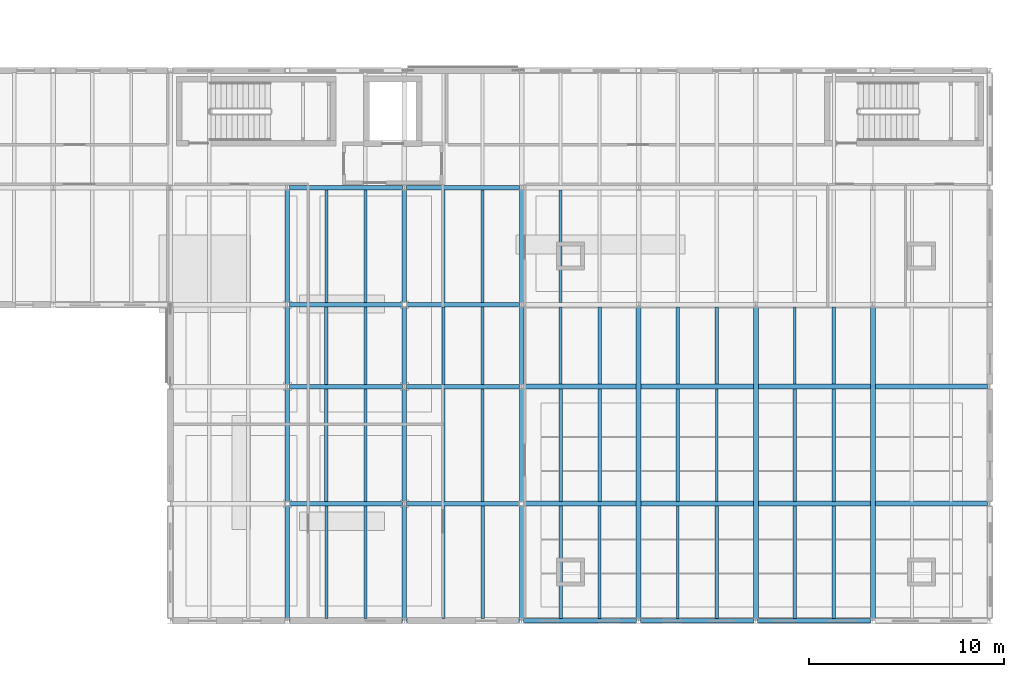
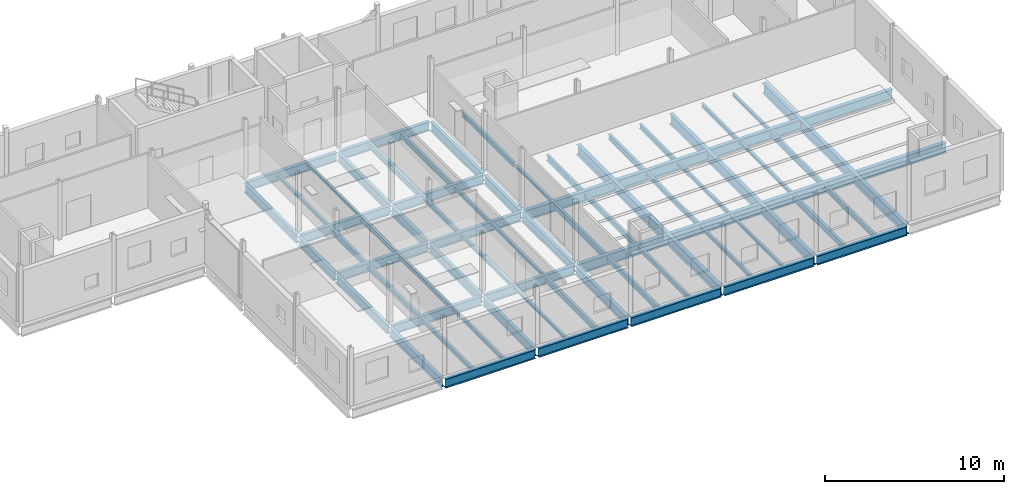
# One storey, part 35 of 92: 65 beams.
"""IFC4 building model written with IfcOpenShell, lengths in metres."""

from ifc_helpers import new_model, si_unit, direction, frame, origin, origin_2d, place, context, subcontext, project, spatial, i_section, extrude, material, material_profile, profile_set, type_object, element, save


model = new_model("IFC4")

# Units and contexts
model_context = context("Model", 3, precision=1e-05, world=origin(), true_north=direction((0.0, 1.0)))
body_context = subcontext(model_context, "Body", "Model", "MODEL_VIEW")
ifc_project = project(units=[si_unit("LENGTHUNIT", "METRE"), si_unit("AREAUNIT", "SQUARE_METRE"), si_unit("VOLUMEUNIT", "CUBIC_METRE"), si_unit("PLANEANGLEUNIT", "RADIAN"), si_unit("MASSUNIT", "GRAM", prefix="KILO")], contexts=[model_context])

# Site, building, storey
site_placement = place(None, origin())
site = spatial("IfcSite", under=ifc_project, at=site_placement, CompositionType="ELEMENT")
building_placement = place(site_placement, origin())
building = spatial("IfcBuilding", under=site, at=building_placement, Name="Siltcreek Boulevard Central Fire Station", CompositionType="ELEMENT")
storey_placement = place(building_placement, frame((0.0, 0.0, 6.0)))
storey = spatial("IfcBuildingStorey", under=building, at=storey_placement, Name="L02", CompositionType="ELEMENT", Elevation=6.0)

# Beams
ifc_material = material(Name="Structural steel ASTM A992 Gr50", Category="steel")
ifc_material_profile_1 = material_profile(ifc_material, i_section(OverallWidth=0.22802734375, OverallDepth=0.60791015625, WebThickness=0.01123046875, FlangeThickness=0.017333984375, at=origin_2d()), Name="W610X113")
ifc_profile_set_1 = profile_set([ifc_material_profile_1], Name="Structural steel ASTM A992 Gr50")
beam_type_1 = type_object("IfcBeamType", Name="BM_W610X113", PredefinedType="BEAM", material=ifc_profile_set_1)
for number, where, z_axis, x_axis, name in (
    (1, (130.199951171875, 1.89990234375, -0.6240234375), (0.0, 1.0, 0.0), (-1.0, 0.0, 0.0), "L02 primary steel girder GY-0285"),
    (2, (130.199951171875, 7.89990234375, -0.6240234375), (0.0, 1.0, 0.0), (-1.0, 0.0, 0.0), "L02 primary steel girder GY-0286"),
):
    element("IfcBeam", number, at=place(storey_placement, frame(where, z_axis=z_axis, x_axis=x_axis)), inside=storey, type_object=beam_type_1, Name=name, PredefinedType="BEAM", context=body_context, shape_type="SweptSolid", body=[
        extrude(i_section(OverallWidth=0.22802734375, OverallDepth=0.60791015625, WebThickness=0.01123046875, FlangeThickness=0.017333984375, at=origin_2d()), origin(), (0.0, 0.0, 1.0), 5.800048828125),
    ])
beam_1_placement = place(storey_placement, frame((130.199951171875, 13.89990234375, -0.6240234375), z_axis=(0.0, 1.0, 0.0), x_axis=(-1.0, 0.0, 0.0)))
element("IfcBeam", 3, at=beam_1_placement, inside=storey, type_object=beam_type_1, Name="L02 primary steel girder GY-0287", PredefinedType="BEAM", context=body_context, shape_type="SweptSolid", body=[
    extrude(i_section(OverallWidth=0.22802734375, OverallDepth=0.60791015625, WebThickness=0.01123046875, FlangeThickness=0.017333984375, at=origin_2d()), origin(), (0.0, 0.0, 1.0), 4.0),
])
beam_2_placement = place(storey_placement, frame((130.199951171875, 18.10009765625, -0.6240234375), z_axis=(0.0, 1.0, 0.0), x_axis=(-1.0, 0.0, 0.0)))
element("IfcBeam", 4, at=beam_2_placement, inside=storey, type_object=beam_type_1, Name="L02 primary steel girder GY-0288", PredefinedType="BEAM", context=body_context, shape_type="SweptSolid", body=[
    extrude(i_section(OverallWidth=0.22802734375, OverallDepth=0.60791015625, WebThickness=0.01123046875, FlangeThickness=0.017333984375, at=origin_2d()), origin(), (0.0, 0.0, 1.0), 5.7998046875),
])
for number, where, z_axis, x_axis, name in (
    (5, (136.199951171875, 1.89990234375, -0.6240234375), (0.0, 1.0, 0.0), (-1.0, 0.0, 0.0), "L02 primary steel girder GY-0289"),
    (6, (136.199951171875, 7.89990234375, -0.6240234375), (0.0, 1.0, 0.0), (-1.0, 0.0, 0.0), "L02 primary steel girder GY-0290"),
):
    element("IfcBeam", number, at=place(storey_placement, frame(where, z_axis=z_axis, x_axis=x_axis)), inside=storey, type_object=beam_type_1, Name=name, PredefinedType="BEAM", context=body_context, shape_type="SweptSolid", body=[
        extrude(i_section(OverallWidth=0.22802734375, OverallDepth=0.60791015625, WebThickness=0.01123046875, FlangeThickness=0.017333984375, at=origin_2d()), origin(), (0.0, 0.0, 1.0), 5.800048828125),
    ])
beam_3_placement = place(storey_placement, frame((136.199951171875, 13.89990234375, -0.6240234375), z_axis=(0.0, 1.0, 0.0), x_axis=(-1.0, 0.0, 0.0)))
element("IfcBeam", 7, at=beam_3_placement, inside=storey, type_object=beam_type_1, Name="L02 primary steel girder GY-0291", PredefinedType="BEAM", context=body_context, shape_type="SweptSolid", body=[
    extrude(i_section(OverallWidth=0.22802734375, OverallDepth=0.60791015625, WebThickness=0.01123046875, FlangeThickness=0.017333984375, at=origin_2d()), origin(), (0.0, 0.0, 1.0), 4.0),
])
beam_4_placement = place(storey_placement, frame((136.199951171875, 18.10009765625, -0.6240234375), z_axis=(0.0, 1.0, 0.0), x_axis=(-1.0, 0.0, 0.0)))
element("IfcBeam", 8, at=beam_4_placement, inside=storey, type_object=beam_type_1, Name="L02 primary steel girder GY-0292", PredefinedType="BEAM", context=body_context, shape_type="SweptSolid", body=[
    extrude(i_section(OverallWidth=0.22802734375, OverallDepth=0.60791015625, WebThickness=0.01123046875, FlangeThickness=0.017333984375, at=origin_2d()), origin(), (0.0, 0.0, 1.0), 5.7998046875),
])
for number, where, z_axis, x_axis, name in (
    (9, (142.199951171875, 1.89990234375, -0.6240234375), (0.0, 1.0, 0.0), (-1.0, 0.0, 0.0), "L02 primary steel girder GY-0294"),
    (10, (142.199951171875, 7.89990234375, -0.6240234375), (0.0, 1.0, 0.0), (-1.0, 0.0, 0.0), "L02 primary steel girder GY-0295"),
):
    element("IfcBeam", number, at=place(storey_placement, frame(where, z_axis=z_axis, x_axis=x_axis)), inside=storey, type_object=beam_type_1, Name=name, PredefinedType="BEAM", context=body_context, shape_type="SweptSolid", body=[
        extrude(i_section(OverallWidth=0.22802734375, OverallDepth=0.60791015625, WebThickness=0.01123046875, FlangeThickness=0.017333984375, at=origin_2d()), origin(), (0.0, 0.0, 1.0), 5.800048828125),
    ])
beam_5_placement = place(storey_placement, frame((142.199951171875, 13.89990234375, -0.6240234375), z_axis=(0.0, 1.0, 0.0), x_axis=(-1.0, 0.0, 0.0)))
element("IfcBeam", 11, at=beam_5_placement, inside=storey, type_object=beam_type_1, Name="L02 primary steel girder GY-0296", PredefinedType="BEAM", context=body_context, shape_type="SweptSolid", body=[
    extrude(i_section(OverallWidth=0.22802734375, OverallDepth=0.60791015625, WebThickness=0.01123046875, FlangeThickness=0.017333984375, at=origin_2d()), origin(), (0.0, 0.0, 1.0), 4.0),
])
beam_6_placement = place(storey_placement, frame((142.199951171875, 18.10009765625, -0.6240234375), z_axis=(0.0, 1.0, 0.0), x_axis=(-1.0, 0.0, 0.0)))
element("IfcBeam", 12, at=beam_6_placement, inside=storey, type_object=beam_type_1, Name="L02 primary steel girder GY-0297", PredefinedType="BEAM", context=body_context, shape_type="SweptSolid", body=[
    extrude(i_section(OverallWidth=0.22802734375, OverallDepth=0.60791015625, WebThickness=0.01123046875, FlangeThickness=0.017333984375, at=origin_2d()), origin(), (0.0, 0.0, 1.0), 5.7998046875),
])
ifc_material_profile_2 = material_profile(ifc_material, i_section(OverallWidth=0.22998046875, OverallDepth=0.616943359375, WebThickness=0.01318359375, FlangeThickness=0.022216796875, at=origin_2d()), Name="W610X140")
ifc_profile_set_2 = profile_set([ifc_material_profile_2], Name="Structural steel ASTM A992 Gr50")
beam_type_2 = type_object("IfcBeamType", Name="BM_W610X140", PredefinedType="BEAM", material=ifc_profile_set_2)
for number, where, z_axis, x_axis, name in (
    (13, (130.300048828125, 1.800048828125, -0.62841796875), (1.0, 0.0, 0.0), (0.0, 1.0, 0.0), "L02 primary steel girder GX-0235"),
    (14, (136.300048828125, 1.800048828125, -0.62841796875), (1.0, 0.0, 0.0), (0.0, 1.0, 0.0), "L02 primary steel girder GX-0236"),
    (15, (142.300048828125, 1.800048828125, -0.62841796875), (1.0, 0.0, 0.0), (0.0, 1.0, 0.0), "L02 primary steel girder GX-0237"),
    (16, (148.300048828125, 1.800048828125, -0.62841796875), (1.0, 0.0, 0.0), (0.0, 1.0, 0.0), "L02 primary steel girder GX-0238"),
    (17, (154.300048828125, 1.800048828125, -0.62841796875), (1.0, 0.0, 0.0), (0.0, 1.0, 0.0), "L02 primary steel girder GX-0239"),
    (18, (130.300048828125, 7.800048828125, -0.62841796875), (1.0, 0.0, 0.0), (0.0, 1.0, 0.0), "L02 primary steel girder GX-0242"),
    (19, (136.300048828125, 7.800048828125, -0.62841796875), (1.0, 0.0, 0.0), (0.0, 1.0, 0.0), "L02 primary steel girder GX-0243"),
    (20, (130.300048828125, 13.800048828125, -0.62841796875), (1.0, 0.0, 0.0), (0.0, 1.0, 0.0), "L02 primary steel girder GX-0246"),
    (21, (136.300048828125, 13.800048828125, -0.62841796875), (1.0, 0.0, 0.0), (0.0, 1.0, 0.0), "L02 primary steel girder GX-0247"),
    (22, (130.300048828125, 18.0, -0.62841796875), (1.0, 0.0, 0.0), (0.0, 1.0, 0.0), "L02 primary steel girder GX-0252"),
    (23, (136.300048828125, 18.0, -0.62841796875), (1.0, 0.0, 0.0), (0.0, 1.0, 0.0), "L02 primary steel girder GX-0253"),
    (24, (130.300048828125, 24.0, -0.62841796875), (1.0, 0.0, 0.0), (0.0, 1.0, 0.0), "L02 primary steel girder GX-0261"),
    (25, (136.300048828125, 24.0, -0.62841796875), (1.0, 0.0, 0.0), (0.0, 1.0, 0.0), "L02 primary steel girder GX-0262"),
):
    element("IfcBeam", number, at=place(storey_placement, frame(where, z_axis=z_axis, x_axis=x_axis)), inside=storey, type_object=beam_type_2, Name=name, PredefinedType="BEAM", context=body_context, shape_type="SweptSolid", body=[
        extrude(i_section(OverallWidth=0.22998046875, OverallDepth=0.616943359375, WebThickness=0.01318359375, FlangeThickness=0.022216796875, at=origin_2d()), origin(), (0.0, 0.0, 1.0), 5.800048828125),
    ])
ifc_material_profile_3 = material_profile(ifc_material, i_section(OverallWidth=0.256103515625, OverallDepth=0.693115234375, WebThickness=0.014404296875, FlangeThickness=0.023681640625, at=origin_2d()), Name="W690X170")
ifc_profile_set_3 = profile_set([ifc_material_profile_3], Name="Structural steel ASTM A992 Gr50")
beam_type_3 = type_object("IfcBeamType", Name="BM_W690X170", PredefinedType="BEAM", material=ifc_profile_set_3)
for number, where, z_axis, x_axis, name in (
    (26, (142.300048828125, 7.800048828125, -0.66650390625), (1.0, 0.0, 0.0), (0.0, 1.0, 0.0), "L02 primary steel girder GX-0244"),
    (27, (142.300048828125, 13.800048828125, -0.66650390625), (1.0, 0.0, 0.0), (0.0, 1.0, 0.0), "L02 primary steel girder GX-0248"),
):
    element("IfcBeam", number, at=place(storey_placement, frame(where, z_axis=z_axis, x_axis=x_axis)), inside=storey, type_object=beam_type_3, Name=name, PredefinedType="BEAM", context=body_context, shape_type="SweptSolid", body=[
        extrude(i_section(OverallWidth=0.256103515625, OverallDepth=0.693115234375, WebThickness=0.014404296875, FlangeThickness=0.023681640625, at=origin_2d()), origin(), (0.0, 0.0, 1.0), 23.800048828125),
    ])
for number, where, z_axis, x_axis, name in (
    (28, (148.199951171875, 1.89990234375, -0.66650390625), (0.0, 1.0, 0.0), (-1.0, 0.0, 0.0), "L02 primary steel girder GY-0299"),
    (29, (154.199951171875, 1.89990234375, -0.66650390625), (0.0, 1.0, 0.0), (-1.0, 0.0, 0.0), "L02 primary steel girder GY-0302"),
    (30, (160.199951171875, 1.89990234375, -0.66650390625), (0.0, 1.0, 0.0), (-1.0, 0.0, 0.0), "L02 primary steel girder GY-0305"),
):
    element("IfcBeam", number, at=place(storey_placement, frame(where, z_axis=z_axis, x_axis=x_axis)), inside=storey, type_object=beam_type_3, Name=name, PredefinedType="BEAM", context=body_context, shape_type="SweptSolid", body=[
        extrude(i_section(OverallWidth=0.256103515625, OverallDepth=0.693115234375, WebThickness=0.014404296875, FlangeThickness=0.023681640625, at=origin_2d()), origin(), (0.0, 0.0, 1.0), 16.0),
    ])
ifc_material_profile_4 = material_profile(ifc_material, i_section(OverallWidth=0.1650390625, OverallDepth=0.200927734375, WebThickness=0.006103515625, FlangeThickness=0.01025390625, at=origin_2d()), Name="W200X36")
ifc_profile_set_4 = profile_set([ifc_material_profile_4], Name="Structural steel ASTM A992 Gr50")
beam_type_4 = type_object("IfcBeamType", Name="JST_W200X36", PredefinedType="JOIST", material=ifc_profile_set_4)
beam_7_placement = place(storey_placement, frame((138.199951171875, 1.9130859375, -0.42041015625), z_axis=(0.0, 1.0, 0.0), x_axis=(-1.0, 0.0, 0.0)))
element("IfcBeam", 31, at=beam_7_placement, inside=storey, type_object=beam_type_4, Name="L02 secondary steel floor joist 0197", PredefinedType="JOIST", context=body_context, shape_type="SweptSolid", body=[
    extrude(i_section(OverallWidth=0.1650390625, OverallDepth=0.200927734375, WebThickness=0.006103515625, FlangeThickness=0.01025390625, at=origin_2d()), origin(), (0.0, 0.0, 1.0), 5.77392578125),
])
beam_8_placement = place(storey_placement, frame((152.199951171875, 1.9130859375, -0.42041015625), z_axis=(0.0, 1.0, 0.0), x_axis=(-1.0, 0.0, 0.0)))
element("IfcBeam", 32, at=beam_8_placement, inside=storey, type_object=beam_type_4, Name="L02 secondary steel floor joist 0202", PredefinedType="JOIST", context=body_context, shape_type="SweptSolid", body=[
    extrude(i_section(OverallWidth=0.1650390625, OverallDepth=0.200927734375, WebThickness=0.006103515625, FlangeThickness=0.01025390625, at=origin_2d()), origin(), (0.0, 0.0, 1.0), 5.760986328125),
])
beam_9_placement = place(storey_placement, frame((140.199951171875, 7.9130859375, -0.42041015625), z_axis=(0.0, 1.0, 0.0), x_axis=(-1.0, 0.0, 0.0)))
element("IfcBeam", 33, at=beam_9_placement, inside=storey, type_object=beam_type_4, Name="L02 secondary steel floor joist 0212", PredefinedType="JOIST", context=body_context, shape_type="SweptSolid", body=[
    extrude(i_section(OverallWidth=0.1650390625, OverallDepth=0.200927734375, WebThickness=0.006103515625, FlangeThickness=0.01025390625, at=origin_2d()), origin(), (0.0, 0.0, 1.0), 5.77392578125),
])
beam_10_placement = place(storey_placement, frame((156.199951171875, 7.926025390625, -0.42041015625), z_axis=(0.0, 1.0, 0.0), x_axis=(-1.0, 0.0, 0.0)))
element("IfcBeam", 34, at=beam_10_placement, inside=storey, type_object=beam_type_4, Name="L02 secondary steel floor joist 0217", PredefinedType="JOIST", context=body_context, shape_type="SweptSolid", body=[
    extrude(i_section(OverallWidth=0.1650390625, OverallDepth=0.200927734375, WebThickness=0.006103515625, FlangeThickness=0.01025390625, at=origin_2d()), origin(), (0.0, 0.0, 1.0), 5.748046875),
])
for number, where, z_axis, x_axis, name in (
    (35, (144.199951171875, 13.926025390625, -0.42041015625), (0.0, 1.0, 0.0), (-1.0, 0.0, 0.0), "L02 secondary steel floor joist 0227"),
    (36, (158.199951171875, 13.926025390625, -0.42041015625), (0.0, 1.0, 0.0), (-1.0, 0.0, 0.0), "L02 secondary steel floor joist 0232"),
):
    element("IfcBeam", number, at=place(storey_placement, frame(where, z_axis=z_axis, x_axis=x_axis)), inside=storey, type_object=beam_type_4, Name=name, PredefinedType="JOIST", context=body_context, shape_type="SweptSolid", body=[
        extrude(i_section(OverallWidth=0.1650390625, OverallDepth=0.200927734375, WebThickness=0.006103515625, FlangeThickness=0.01025390625, at=origin_2d()), origin(), (0.0, 0.0, 1.0), 3.9609375),
    ])
beam_11_placement = place(storey_placement, frame((134.199951171875, 18.113037109375, -0.42041015625), z_axis=(0.0, 1.0, 0.0), x_axis=(-1.0, 0.0, 0.0)))
element("IfcBeam", 37, at=beam_11_placement, inside=storey, type_object=beam_type_4, Name="L02 secondary steel floor joist 0242", PredefinedType="JOIST", context=body_context, shape_type="SweptSolid", body=[
    extrude(i_section(OverallWidth=0.1650390625, OverallDepth=0.200927734375, WebThickness=0.006103515625, FlangeThickness=0.01025390625, at=origin_2d()), origin(), (0.0, 0.0, 1.0), 5.77392578125),
])
ifc_material_profile_5 = material_profile(ifc_material, i_section(OverallWidth=0.14697265625, OverallDepth=0.261962890625, WebThickness=0.006591796875, FlangeThickness=0.01123046875, at=origin_2d()), Name="W250X39")
ifc_profile_set_5 = profile_set([ifc_material_profile_5], Name="Structural steel ASTM A992 Gr50")
beam_type_5 = type_object("IfcBeamType", Name="JST_W250X39", PredefinedType="JOIST", material=ifc_profile_set_5)
beam_12_placement = place(storey_placement, frame((134.199951171875, 1.9130859375, -0.450927734375), z_axis=(0.0, 1.0, 0.0), x_axis=(-1.0, 0.0, 0.0)))
element("IfcBeam", 38, at=beam_12_placement, inside=storey, type_object=beam_type_5, Name="L02 secondary steel floor joist 0196", PredefinedType="JOIST", context=body_context, shape_type="SweptSolid", body=[
    extrude(i_section(OverallWidth=0.14697265625, OverallDepth=0.261962890625, WebThickness=0.006591796875, FlangeThickness=0.01123046875, at=origin_2d()), origin(), (0.0, 0.0, 1.0), 5.77392578125),
])
beam_13_placement = place(storey_placement, frame((150.199951171875, 1.9130859375, -0.450927734375), z_axis=(0.0, 1.0, 0.0), x_axis=(-1.0, 0.0, 0.0)))
element("IfcBeam", 39, at=beam_13_placement, inside=storey, type_object=beam_type_5, Name="L02 secondary steel floor joist 0201", PredefinedType="JOIST", context=body_context, shape_type="SweptSolid", body=[
    extrude(i_section(OverallWidth=0.14697265625, OverallDepth=0.261962890625, WebThickness=0.006591796875, FlangeThickness=0.01123046875, at=origin_2d()), origin(), (0.0, 0.0, 1.0), 5.760986328125),
])
beam_14_placement = place(storey_placement, frame((138.199951171875, 7.9130859375, -0.450927734375), z_axis=(0.0, 1.0, 0.0), x_axis=(-1.0, 0.0, 0.0)))
element("IfcBeam", 40, at=beam_14_placement, inside=storey, type_object=beam_type_5, Name="L02 secondary steel floor joist 0211", PredefinedType="JOIST", context=body_context, shape_type="SweptSolid", body=[
    extrude(i_section(OverallWidth=0.14697265625, OverallDepth=0.261962890625, WebThickness=0.006591796875, FlangeThickness=0.01123046875, at=origin_2d()), origin(), (0.0, 0.0, 1.0), 5.77392578125),
])
beam_15_placement = place(storey_placement, frame((152.199951171875, 7.926025390625, -0.450927734375), z_axis=(0.0, 1.0, 0.0), x_axis=(-1.0, 0.0, 0.0)))
element("IfcBeam", 41, at=beam_15_placement, inside=storey, type_object=beam_type_5, Name="L02 secondary steel floor joist 0216", PredefinedType="JOIST", context=body_context, shape_type="SweptSolid", body=[
    extrude(i_section(OverallWidth=0.14697265625, OverallDepth=0.261962890625, WebThickness=0.006591796875, FlangeThickness=0.01123046875, at=origin_2d()), origin(), (0.0, 0.0, 1.0), 5.748046875),
])
beam_16_placement = place(storey_placement, frame((140.199951171875, 13.9130859375, -0.450927734375), z_axis=(0.0, 1.0, 0.0), x_axis=(-1.0, 0.0, 0.0)))
element("IfcBeam", 42, at=beam_16_placement, inside=storey, type_object=beam_type_5, Name="L02 secondary steel floor joist 0226", PredefinedType="JOIST", context=body_context, shape_type="SweptSolid", body=[
    extrude(i_section(OverallWidth=0.14697265625, OverallDepth=0.261962890625, WebThickness=0.006591796875, FlangeThickness=0.01123046875, at=origin_2d()), origin(), (0.0, 0.0, 1.0), 3.973876953125),
])
beam_17_placement = place(storey_placement, frame((156.199951171875, 13.926025390625, -0.450927734375), z_axis=(0.0, 1.0, 0.0), x_axis=(-1.0, 0.0, 0.0)))
element("IfcBeam", 43, at=beam_17_placement, inside=storey, type_object=beam_type_5, Name="L02 secondary steel floor joist 0231", PredefinedType="JOIST", context=body_context, shape_type="SweptSolid", body=[
    extrude(i_section(OverallWidth=0.14697265625, OverallDepth=0.261962890625, WebThickness=0.006591796875, FlangeThickness=0.01123046875, at=origin_2d()), origin(), (0.0, 0.0, 1.0), 3.9609375),
])
beam_18_placement = place(storey_placement, frame((132.199951171875, 18.113037109375, -0.450927734375), z_axis=(0.0, 1.0, 0.0), x_axis=(-1.0, 0.0, 0.0)))
element("IfcBeam", 44, at=beam_18_placement, inside=storey, type_object=beam_type_5, Name="L02 secondary steel floor joist 0241", PredefinedType="JOIST", context=body_context, shape_type="SweptSolid", body=[
    extrude(i_section(OverallWidth=0.14697265625, OverallDepth=0.261962890625, WebThickness=0.006591796875, FlangeThickness=0.01123046875, at=origin_2d()), origin(), (0.0, 0.0, 1.0), 5.77392578125),
])
ifc_material_profile_6 = material_profile(ifc_material, i_section(OverallWidth=0.166015625, OverallDepth=0.31298828125, WebThickness=0.006591796875, FlangeThickness=0.01123046875, at=origin_2d()), Name="W310X45")
ifc_profile_set_6 = profile_set([ifc_material_profile_6], Name="Structural steel ASTM A992 Gr50")
beam_type_6 = type_object("IfcBeamType", Name="JST_W310X45", PredefinedType="JOIST", material=ifc_profile_set_6)
beam_19_placement = place(storey_placement, frame((132.199951171875, 1.9130859375, -0.4765625), z_axis=(0.0, 1.0, 0.0), x_axis=(-1.0, 0.0, 0.0)))
element("IfcBeam", 45, at=beam_19_placement, inside=storey, type_object=beam_type_6, Name="L02 secondary steel floor joist 0195", PredefinedType="JOIST", context=body_context, shape_type="SweptSolid", body=[
    extrude(i_section(OverallWidth=0.166015625, OverallDepth=0.31298828125, WebThickness=0.006591796875, FlangeThickness=0.01123046875, at=origin_2d()), origin(), (0.0, 0.0, 1.0), 5.77392578125),
])
beam_20_placement = place(storey_placement, frame((146.199951171875, 1.9130859375, -0.4765625), z_axis=(0.0, 1.0, 0.0), x_axis=(-1.0, 0.0, 0.0)))
element("IfcBeam", 46, at=beam_20_placement, inside=storey, type_object=beam_type_6, Name="L02 secondary steel floor joist 0200", PredefinedType="JOIST", context=body_context, shape_type="SweptSolid", body=[
    extrude(i_section(OverallWidth=0.166015625, OverallDepth=0.31298828125, WebThickness=0.006591796875, FlangeThickness=0.01123046875, at=origin_2d()), origin(), (0.0, 0.0, 1.0), 5.760986328125),
])
beam_21_placement = place(storey_placement, frame((134.199951171875, 7.9130859375, -0.4765625), z_axis=(0.0, 1.0, 0.0), x_axis=(-1.0, 0.0, 0.0)))
element("IfcBeam", 47, at=beam_21_placement, inside=storey, type_object=beam_type_6, Name="L02 secondary steel floor joist 0210", PredefinedType="JOIST", context=body_context, shape_type="SweptSolid", body=[
    extrude(i_section(OverallWidth=0.166015625, OverallDepth=0.31298828125, WebThickness=0.006591796875, FlangeThickness=0.01123046875, at=origin_2d()), origin(), (0.0, 0.0, 1.0), 5.77392578125),
])
beam_22_placement = place(storey_placement, frame((150.199951171875, 7.926025390625, -0.4765625), z_axis=(0.0, 1.0, 0.0), x_axis=(-1.0, 0.0, 0.0)))
element("IfcBeam", 48, at=beam_22_placement, inside=storey, type_object=beam_type_6, Name="L02 secondary steel floor joist 0215", PredefinedType="JOIST", context=body_context, shape_type="SweptSolid", body=[
    extrude(i_section(OverallWidth=0.166015625, OverallDepth=0.31298828125, WebThickness=0.006591796875, FlangeThickness=0.01123046875, at=origin_2d()), origin(), (0.0, 0.0, 1.0), 5.748046875),
])
beam_23_placement = place(storey_placement, frame((138.199951171875, 13.9130859375, -0.4765625), z_axis=(0.0, 1.0, 0.0), x_axis=(-1.0, 0.0, 0.0)))
element("IfcBeam", 49, at=beam_23_placement, inside=storey, type_object=beam_type_6, Name="L02 secondary steel floor joist 0225", PredefinedType="JOIST", context=body_context, shape_type="SweptSolid", body=[
    extrude(i_section(OverallWidth=0.166015625, OverallDepth=0.31298828125, WebThickness=0.006591796875, FlangeThickness=0.01123046875, at=origin_2d()), origin(), (0.0, 0.0, 1.0), 3.973876953125),
])
beam_24_placement = place(storey_placement, frame((152.199951171875, 13.926025390625, -0.4765625), z_axis=(0.0, 1.0, 0.0), x_axis=(-1.0, 0.0, 0.0)))
element("IfcBeam", 50, at=beam_24_placement, inside=storey, type_object=beam_type_6, Name="L02 secondary steel floor joist 0230", PredefinedType="JOIST", context=body_context, shape_type="SweptSolid", body=[
    extrude(i_section(OverallWidth=0.166015625, OverallDepth=0.31298828125, WebThickness=0.006591796875, FlangeThickness=0.01123046875, at=origin_2d()), origin(), (0.0, 0.0, 1.0), 3.9609375),
])
beam_25_placement = place(storey_placement, frame((144.199951171875, 18.113037109375, -0.4765625), z_axis=(0.0, 1.0, 0.0), x_axis=(-1.0, 0.0, 0.0)))
element("IfcBeam", 51, at=beam_25_placement, inside=storey, type_object=beam_type_6, Name="L02 secondary steel floor joist 0245", PredefinedType="JOIST", context=body_context, shape_type="SweptSolid", body=[
    extrude(i_section(OverallWidth=0.166015625, OverallDepth=0.31298828125, WebThickness=0.006591796875, FlangeThickness=0.01123046875, at=origin_2d()), origin(), (0.0, 0.0, 1.0), 5.77392578125),
])
ifc_material_profile_7 = material_profile(ifc_material, i_section(OverallWidth=0.172119140625, OverallDepth=0.35791015625, WebThickness=0.0078125, FlangeThickness=0.01318359375, at=origin_2d()), Name="W360X57")
ifc_profile_set_7 = profile_set([ifc_material_profile_7], Name="Structural steel ASTM A992 Gr50")
beam_type_7 = type_object("IfcBeamType", Name="JST_W360X57", PredefinedType="JOIST", material=ifc_profile_set_7)
for number, where, z_axis, x_axis, name in (
    (52, (144.199951171875, 1.9130859375, -0.4990234375), (0.0, 1.0, 0.0), (-1.0, 0.0, 0.0), "L02 secondary steel floor joist 0199"),
    (53, (158.199951171875, 1.9130859375, -0.4990234375), (0.0, 1.0, 0.0), (-1.0, 0.0, 0.0), "L02 secondary steel floor joist 0204"),
):
    element("IfcBeam", number, at=place(storey_placement, frame(where, z_axis=z_axis, x_axis=x_axis)), inside=storey, type_object=beam_type_7, Name=name, PredefinedType="JOIST", context=body_context, shape_type="SweptSolid", body=[
        extrude(i_section(OverallWidth=0.172119140625, OverallDepth=0.35791015625, WebThickness=0.0078125, FlangeThickness=0.01318359375, at=origin_2d()), origin(), (0.0, 0.0, 1.0), 5.760986328125),
    ])
beam_26_placement = place(storey_placement, frame((132.199951171875, 7.9130859375, -0.4990234375), z_axis=(0.0, 1.0, 0.0), x_axis=(-1.0, 0.0, 0.0)))
element("IfcBeam", 54, at=beam_26_placement, inside=storey, type_object=beam_type_7, Name="L02 secondary steel floor joist 0209", PredefinedType="JOIST", context=body_context, shape_type="SweptSolid", body=[
    extrude(i_section(OverallWidth=0.172119140625, OverallDepth=0.35791015625, WebThickness=0.0078125, FlangeThickness=0.01318359375, at=origin_2d()), origin(), (0.0, 0.0, 1.0), 5.77392578125),
])
beam_27_placement = place(storey_placement, frame((146.199951171875, 7.926025390625, -0.4990234375), z_axis=(0.0, 1.0, 0.0), x_axis=(-1.0, 0.0, 0.0)))
element("IfcBeam", 55, at=beam_27_placement, inside=storey, type_object=beam_type_7, Name="L02 secondary steel floor joist 0214", PredefinedType="JOIST", context=body_context, shape_type="SweptSolid", body=[
    extrude(i_section(OverallWidth=0.172119140625, OverallDepth=0.35791015625, WebThickness=0.0078125, FlangeThickness=0.01318359375, at=origin_2d()), origin(), (0.0, 0.0, 1.0), 5.748046875),
])
beam_28_placement = place(storey_placement, frame((134.199951171875, 13.9130859375, -0.4990234375), z_axis=(0.0, 1.0, 0.0), x_axis=(-1.0, 0.0, 0.0)))
element("IfcBeam", 56, at=beam_28_placement, inside=storey, type_object=beam_type_7, Name="L02 secondary steel floor joist 0224", PredefinedType="JOIST", context=body_context, shape_type="SweptSolid", body=[
    extrude(i_section(OverallWidth=0.172119140625, OverallDepth=0.35791015625, WebThickness=0.0078125, FlangeThickness=0.01318359375, at=origin_2d()), origin(), (0.0, 0.0, 1.0), 3.973876953125),
])
beam_29_placement = place(storey_placement, frame((150.199951171875, 13.926025390625, -0.4990234375), z_axis=(0.0, 1.0, 0.0), x_axis=(-1.0, 0.0, 0.0)))
element("IfcBeam", 57, at=beam_29_placement, inside=storey, type_object=beam_type_7, Name="L02 secondary steel floor joist 0229", PredefinedType="JOIST", context=body_context, shape_type="SweptSolid", body=[
    extrude(i_section(OverallWidth=0.172119140625, OverallDepth=0.35791015625, WebThickness=0.0078125, FlangeThickness=0.01318359375, at=origin_2d()), origin(), (0.0, 0.0, 1.0), 3.9609375),
])
beam_30_placement = place(storey_placement, frame((140.199951171875, 18.113037109375, -0.4990234375), z_axis=(0.0, 1.0, 0.0), x_axis=(-1.0, 0.0, 0.0)))
element("IfcBeam", 58, at=beam_30_placement, inside=storey, type_object=beam_type_7, Name="L02 secondary steel floor joist 0244", PredefinedType="JOIST", context=body_context, shape_type="SweptSolid", body=[
    extrude(i_section(OverallWidth=0.172119140625, OverallDepth=0.35791015625, WebThickness=0.0078125, FlangeThickness=0.01318359375, at=origin_2d()), origin(), (0.0, 0.0, 1.0), 5.77392578125),
])
ifc_material_profile_8 = material_profile(ifc_material, i_section(OverallWidth=0.177001953125, OverallDepth=0.403076171875, WebThickness=0.007568359375, FlangeThickness=0.010986328125, at=origin_2d()), Name="W410X53")
ifc_profile_set_8 = profile_set([ifc_material_profile_8], Name="Structural steel ASTM A992 Gr50")
beam_type_8 = type_object("IfcBeamType", Name="JST_W410X53", PredefinedType="JOIST", material=ifc_profile_set_8)
beam_31_placement = place(storey_placement, frame((140.199951171875, 1.9130859375, -0.521484375), z_axis=(0.0, 1.0, 0.0), x_axis=(-1.0, 0.0, 0.0)))
element("IfcBeam", 59, at=beam_31_placement, inside=storey, type_object=beam_type_8, Name="L02 secondary steel floor joist 0198", PredefinedType="JOIST", context=body_context, shape_type="SweptSolid", body=[
    extrude(i_section(OverallWidth=0.177001953125, OverallDepth=0.403076171875, WebThickness=0.007568359375, FlangeThickness=0.010986328125, at=origin_2d()), origin(), (0.0, 0.0, 1.0), 5.77392578125),
])
beam_32_placement = place(storey_placement, frame((156.199951171875, 1.9130859375, -0.521484375), z_axis=(0.0, 1.0, 0.0), x_axis=(-1.0, 0.0, 0.0)))
element("IfcBeam", 60, at=beam_32_placement, inside=storey, type_object=beam_type_8, Name="L02 secondary steel floor joist 0203", PredefinedType="JOIST", context=body_context, shape_type="SweptSolid", body=[
    extrude(i_section(OverallWidth=0.177001953125, OverallDepth=0.403076171875, WebThickness=0.007568359375, FlangeThickness=0.010986328125, at=origin_2d()), origin(), (0.0, 0.0, 1.0), 5.760986328125),
])
for number, where, z_axis, x_axis, name in (
    (61, (144.199951171875, 7.926025390625, -0.521484375), (0.0, 1.0, 0.0), (-1.0, 0.0, 0.0), "L02 secondary steel floor joist 0213"),
    (62, (158.199951171875, 7.926025390625, -0.521484375), (0.0, 1.0, 0.0), (-1.0, 0.0, 0.0), "L02 secondary steel floor joist 0218"),
):
    element("IfcBeam", number, at=place(storey_placement, frame(where, z_axis=z_axis, x_axis=x_axis)), inside=storey, type_object=beam_type_8, Name=name, PredefinedType="JOIST", context=body_context, shape_type="SweptSolid", body=[
        extrude(i_section(OverallWidth=0.177001953125, OverallDepth=0.403076171875, WebThickness=0.007568359375, FlangeThickness=0.010986328125, at=origin_2d()), origin(), (0.0, 0.0, 1.0), 5.748046875),
    ])
beam_33_placement = place(storey_placement, frame((132.199951171875, 13.9130859375, -0.521484375), z_axis=(0.0, 1.0, 0.0), x_axis=(-1.0, 0.0, 0.0)))
element("IfcBeam", 63, at=beam_33_placement, inside=storey, type_object=beam_type_8, Name="L02 secondary steel floor joist 0223", PredefinedType="JOIST", context=body_context, shape_type="SweptSolid", body=[
    extrude(i_section(OverallWidth=0.177001953125, OverallDepth=0.403076171875, WebThickness=0.007568359375, FlangeThickness=0.010986328125, at=origin_2d()), origin(), (0.0, 0.0, 1.0), 3.973876953125),
])
beam_34_placement = place(storey_placement, frame((146.199951171875, 13.926025390625, -0.521484375), z_axis=(0.0, 1.0, 0.0), x_axis=(-1.0, 0.0, 0.0)))
element("IfcBeam", 64, at=beam_34_placement, inside=storey, type_object=beam_type_8, Name="L02 secondary steel floor joist 0228", PredefinedType="JOIST", context=body_context, shape_type="SweptSolid", body=[
    extrude(i_section(OverallWidth=0.177001953125, OverallDepth=0.403076171875, WebThickness=0.007568359375, FlangeThickness=0.010986328125, at=origin_2d()), origin(), (0.0, 0.0, 1.0), 3.9609375),
])
beam_35_placement = place(storey_placement, frame((138.199951171875, 18.113037109375, -0.521484375), z_axis=(0.0, 1.0, 0.0), x_axis=(-1.0, 0.0, 0.0)))
element("IfcBeam", 65, at=beam_35_placement, inside=storey, type_object=beam_type_8, Name="L02 secondary steel floor joist 0243", PredefinedType="JOIST", context=body_context, shape_type="SweptSolid", body=[
    extrude(i_section(OverallWidth=0.177001953125, OverallDepth=0.403076171875, WebThickness=0.007568359375, FlangeThickness=0.010986328125, at=origin_2d()), origin(), (0.0, 0.0, 1.0), 5.77392578125),
])

save(model, "model.ifc")
